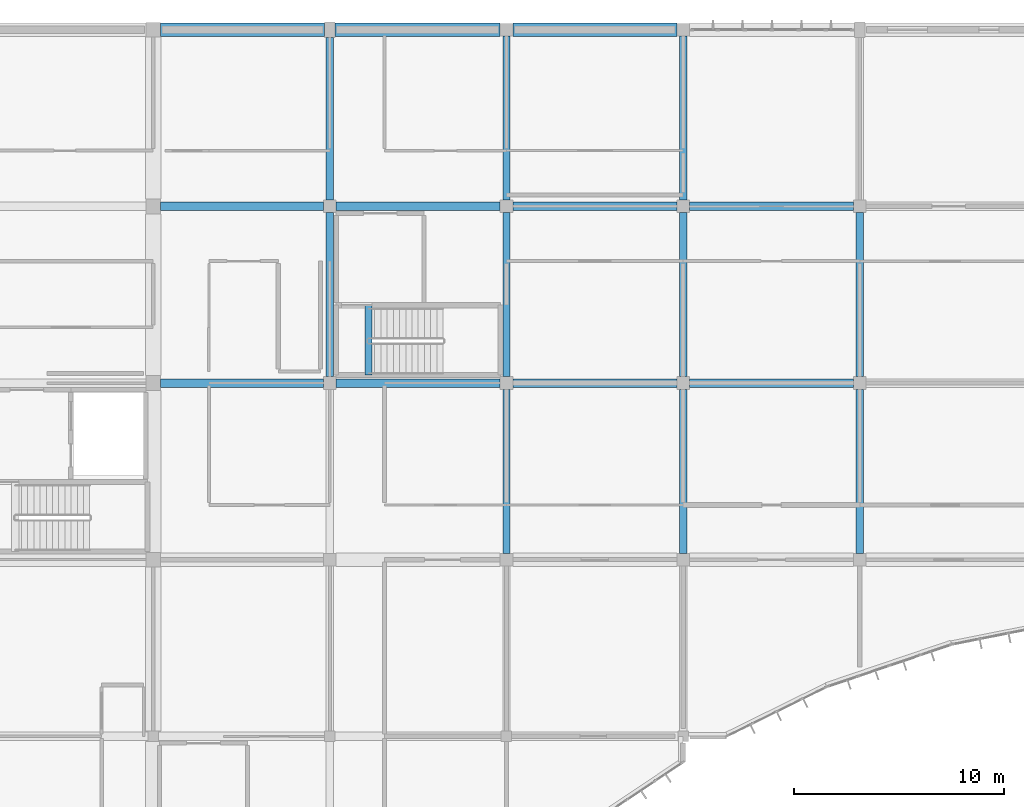
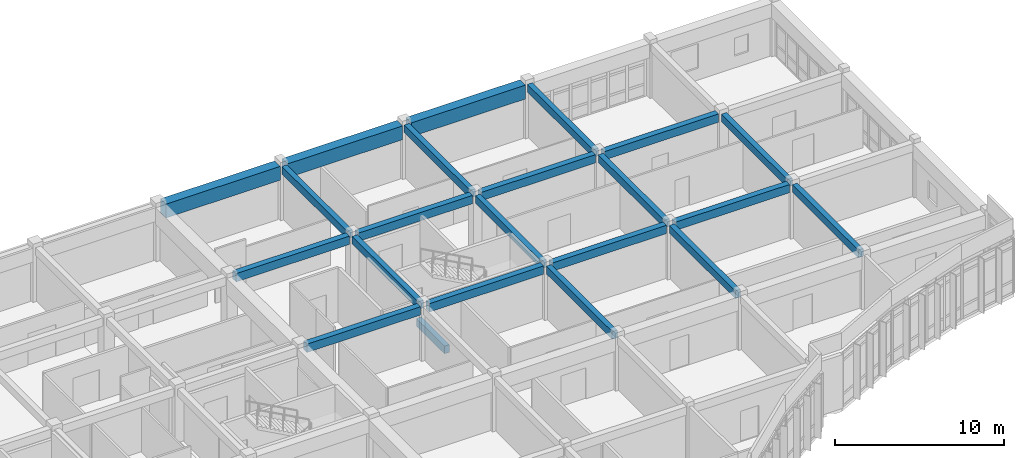
# One storey, part 52 of 119: 22 beams.
"""IFC4 building model written with IfcOpenShell, lengths in metres."""

from ifc_helpers import new_model, si_unit, direction, frame, origin, origin_2d, place, context, subcontext, project, spatial, rectangle, extrude, material, material_profile, profile_set, type_object, element, save


model = new_model("IFC4")

# Units and contexts
model_context = context("Model", 3, precision=1e-05, world=origin(), true_north=direction((0.0, 1.0)))
body_context = subcontext(model_context, "Body", "Model", "MODEL_VIEW")
ifc_project = project(units=[si_unit("LENGTHUNIT", "METRE"), si_unit("AREAUNIT", "SQUARE_METRE"), si_unit("VOLUMEUNIT", "CUBIC_METRE"), si_unit("PLANEANGLEUNIT", "RADIAN"), si_unit("MASSUNIT", "GRAM", prefix="KILO")], contexts=[model_context])

# Site, building, storey
site_placement = place(None, origin())
site = spatial("IfcSite", under=ifc_project, at=site_placement, CompositionType="ELEMENT")
building_placement = place(site_placement, origin())
building = spatial("IfcBuilding", under=site, at=building_placement, Name="Bramfleet General Hospital", CompositionType="ELEMENT")
storey_placement = place(building_placement, frame((0.0, 0.0, 14.39990234375)))
storey = spatial("IfcBuildingStorey", under=building, at=storey_placement, Name="L03", CompositionType="ELEMENT", Elevation=14.39990234375)

# Beams
ifc_material_1 = material(Name="Concrete C35/45", Category="concrete")
ifc_material_profile_1 = material_profile(ifc_material_1, rectangle(XDim=0.35009765625, YDim=0.550048828125, at=origin_2d()), Name="RC BM 550x350")
ifc_profile_set_1 = profile_set([ifc_material_profile_1], Name="Concrete C35/45")
beam_type_1 = type_object("IfcBeamType", Name="BM-RC550", PredefinedType="BEAM", material=ifc_profile_set_1)
beam_1_placement = place(storey_placement, frame((134.39990234375, 101.10009765625, 3.625), z_axis=(0.0, 1.0, 0.0), x_axis=(-1.0, 0.0, 0.0)))
element("IfcBeam", 1, at=beam_1_placement, inside=storey, type_object=beam_type_1, Name="L03 Grid Beam Y 16-12", PredefinedType="BEAM", context=body_context, shape_type="SweptSolid", body=[
    extrude(rectangle(XDim=0.35009765625, YDim=0.550048828125, at=origin_2d()), origin(), (0.0, 0.0, 1.0), 7.7998046875),
])
beam_2_placement = place(storey_placement, frame((134.39990234375, 109.5, 3.625), z_axis=(0.0, 1.0, 0.0), x_axis=(-1.0, 0.0, 0.0)))
element("IfcBeam", 2, at=beam_2_placement, inside=storey, type_object=beam_type_1, Name="L03 Grid Beam Y 16-13", PredefinedType="BEAM", context=body_context, shape_type="SweptSolid", body=[
    extrude(rectangle(XDim=0.35009765625, YDim=0.550048828125, at=origin_2d()), origin(), (0.0, 0.0, 1.0), 7.72509765625),
])
beam_3_placement = place(storey_placement, frame((142.800048828125, 92.699951171875, 3.625), z_axis=(0.0, 1.0, 0.0), x_axis=(-1.0, 0.0, 0.0)))
element("IfcBeam", 3, at=beam_3_placement, inside=storey, type_object=beam_type_1, Name="L03 Grid Beam Y 17-11", PredefinedType="BEAM", context=body_context, shape_type="SweptSolid", body=[
    extrude(rectangle(XDim=0.35009765625, YDim=0.550048828125, at=origin_2d()), origin(), (0.0, 0.0, 1.0), 7.800048828125),
])
beam_4_placement = place(storey_placement, frame((142.800048828125, 101.10009765625, 3.625), z_axis=(0.0, 1.0, 0.0), x_axis=(-1.0, 0.0, 0.0)))
element("IfcBeam", 4, at=beam_4_placement, inside=storey, type_object=beam_type_1, Name="L03 Grid Beam Y 17-12", PredefinedType="BEAM", context=body_context, shape_type="SweptSolid", body=[
    extrude(rectangle(XDim=0.35009765625, YDim=0.550048828125, at=origin_2d()), origin(), (0.0, 0.0, 1.0), 7.7998046875),
])
for number, where, z_axis, x_axis, name in (
    (5, (142.800048828125, 109.5, 3.625), (0.0, 1.0, 0.0), (-1.0, 0.0, 0.0), "L03 Grid Beam Y 17-13"),
    (6, (151.199951171875, 92.699951171875, 3.625), (0.0, 1.0, 0.0), (-1.0, 0.0, 0.0), "L03 Grid Beam Y 18-11"),
):
    element("IfcBeam", number, at=place(storey_placement, frame(where, z_axis=z_axis, x_axis=x_axis)), inside=storey, type_object=beam_type_1, Name=name, PredefinedType="BEAM", context=body_context, shape_type="SweptSolid", body=[
        extrude(rectangle(XDim=0.35009765625, YDim=0.550048828125, at=origin_2d()), origin(), (0.0, 0.0, 1.0), 7.800048828125),
    ])
beam_5_placement = place(storey_placement, frame((151.199951171875, 101.10009765625, 3.625), z_axis=(0.0, 1.0, 0.0), x_axis=(-1.0, 0.0, 0.0)))
element("IfcBeam", 7, at=beam_5_placement, inside=storey, type_object=beam_type_1, Name="L03 Grid Beam Y 18-12", PredefinedType="BEAM", context=body_context, shape_type="SweptSolid", body=[
    extrude(rectangle(XDim=0.35009765625, YDim=0.550048828125, at=origin_2d()), origin(), (0.0, 0.0, 1.0), 7.7998046875),
])
for number, where, z_axis, x_axis, name in (
    (8, (151.199951171875, 109.5, 3.625), (0.0, 1.0, 0.0), (-1.0, 0.0, 0.0), "L03 Grid Beam Y 18-13"),
    (9, (159.60009765625, 92.699951171875, 3.625), (0.0, 1.0, 0.0), (-1.0, 0.0, 0.0), "L03 Grid Beam Y 19-11"),
):
    element("IfcBeam", number, at=place(storey_placement, frame(where, z_axis=z_axis, x_axis=x_axis)), inside=storey, type_object=beam_type_1, Name=name, PredefinedType="BEAM", context=body_context, shape_type="SweptSolid", body=[
        extrude(rectangle(XDim=0.35009765625, YDim=0.550048828125, at=origin_2d()), origin(), (0.0, 0.0, 1.0), 7.800048828125),
    ])
beam_6_placement = place(storey_placement, frame((159.60009765625, 101.10009765625, 3.625), z_axis=(0.0, 1.0, 0.0), x_axis=(-1.0, 0.0, 0.0)))
element("IfcBeam", 10, at=beam_6_placement, inside=storey, type_object=beam_type_1, Name="L03 Grid Beam Y 19-12", PredefinedType="BEAM", context=body_context, shape_type="SweptSolid", body=[
    extrude(rectangle(XDim=0.35009765625, YDim=0.550048828125, at=origin_2d()), origin(), (0.0, 0.0, 1.0), 7.7998046875),
])
beam_7_placement = place(storey_placement, frame((136.239990234375, 101.179931640625, -0.27490234375), z_axis=(0.0, 1.0, 0.0), x_axis=(-1.0, 0.0, 0.0)))
element("IfcBeam", 11, at=beam_7_placement, inside=storey, type_object=beam_type_1, Name="L03 C9 Stairwell Trimmer Beam", PredefinedType="BEAM", context=body_context, shape_type="SweptSolid", body=[
    extrude(rectangle(XDim=0.35009765625, YDim=0.550048828125, at=origin_2d()), origin(), (0.0, 0.0, 1.0), 3.320068359375),
])
ifc_material_profile_2 = material_profile(ifc_material_1, rectangle(XDim=0.39990234375, YDim=0.60009765625, at=origin_2d()), Name="RC BM 600x400")
ifc_profile_set_2 = profile_set([ifc_material_profile_2], Name="Concrete C35/45")
beam_type_2 = type_object("IfcBeamType", Name="BM-RC600", PredefinedType="BEAM", material=ifc_profile_set_2)
for number, where, z_axis, x_axis, name in (
    (12, (126.35009765625, 100.800048828125, 3.60009765625), (1.0, 0.0, 0.0), (0.0, 1.0, 0.0), "L03 Grid Beam X 15-12"),
    (13, (126.35009765625, 109.199951171875, 3.60009765625), (1.0, 0.0, 0.0), (0.0, 1.0, 0.0), "L03 Grid Beam X 15-13"),
):
    element("IfcBeam", number, at=place(storey_placement, frame(where, z_axis=z_axis, x_axis=x_axis)), inside=storey, type_object=beam_type_2, Name=name, PredefinedType="BEAM", context=body_context, shape_type="SweptSolid", body=[
        extrude(rectangle(XDim=0.39990234375, YDim=0.60009765625, at=origin_2d()), origin(), (0.0, 0.0, 1.0), 7.75),
    ])
for number, where, z_axis, x_axis, name in (
    (14, (134.699951171875, 100.800048828125, 3.60009765625), (1.0, 0.0, 0.0), (0.0, 1.0, 0.0), "L03 Grid Beam X 16-12"),
    (15, (134.699951171875, 109.199951171875, 3.60009765625), (1.0, 0.0, 0.0), (0.0, 1.0, 0.0), "L03 Grid Beam X 16-13"),
):
    element("IfcBeam", number, at=place(storey_placement, frame(where, z_axis=z_axis, x_axis=x_axis)), inside=storey, type_object=beam_type_2, Name=name, PredefinedType="BEAM", context=body_context, shape_type="SweptSolid", body=[
        extrude(rectangle(XDim=0.39990234375, YDim=0.60009765625, at=origin_2d()), origin(), (0.0, 0.0, 1.0), 7.800048828125),
    ])
for number, where, z_axis, x_axis, name in (
    (16, (143.10009765625, 100.800048828125, 3.60009765625), (1.0, 0.0, 0.0), (0.0, 1.0, 0.0), "L03 Grid Beam X 17-12"),
    (17, (143.10009765625, 109.199951171875, 3.60009765625), (1.0, 0.0, 0.0), (0.0, 1.0, 0.0), "L03 Grid Beam X 17-13"),
):
    element("IfcBeam", number, at=place(storey_placement, frame(where, z_axis=z_axis, x_axis=x_axis)), inside=storey, type_object=beam_type_2, Name=name, PredefinedType="BEAM", context=body_context, shape_type="SweptSolid", body=[
        extrude(rectangle(XDim=0.39990234375, YDim=0.60009765625, at=origin_2d()), origin(), (0.0, 0.0, 1.0), 7.7998046875),
    ])
for number, where, z_axis, x_axis, name in (
    (18, (151.5, 100.800048828125, 3.60009765625), (1.0, 0.0, 0.0), (0.0, 1.0, 0.0), "L03 Grid Beam X 18-12"),
    (19, (151.5, 109.199951171875, 3.60009765625), (1.0, 0.0, 0.0), (0.0, 1.0, 0.0), "L03 Grid Beam X 18-13"),
):
    element("IfcBeam", number, at=place(storey_placement, frame(where, z_axis=z_axis, x_axis=x_axis)), inside=storey, type_object=beam_type_2, Name=name, PredefinedType="BEAM", context=body_context, shape_type="SweptSolid", body=[
        extrude(rectangle(XDim=0.39990234375, YDim=0.60009765625, at=origin_2d()), origin(), (0.0, 0.0, 1.0), 7.800048828125),
    ])
ifc_material_2 = material(Name="Concrete C40/50", Category="concrete")
ifc_material_profile_3 = material_profile(ifc_material_2, rectangle(XDim=0.64990234375, YDim=1.0, at=origin_2d()), Name="RC TG 1000x650")
ifc_profile_set_3 = profile_set([ifc_material_profile_3], Name="Concrete C40/50")
beam_type_3 = type_object("IfcBeamType", Name="BM-TG1000", PredefinedType="BEAM", material=ifc_profile_set_3)
beam_8_placement = place(storey_placement, frame((126.35009765625, 117.60009765625, 3.400146484375), z_axis=(1.0, 0.0, 0.0), x_axis=(0.0, 1.0, 0.0)))
element("IfcBeam", 20, at=beam_8_placement, inside=storey, type_object=beam_type_3, Name="L03 Transfer Girder X 15-14", PredefinedType="BEAM", context=body_context, shape_type="SweptSolid", body=[
    extrude(rectangle(XDim=0.64990234375, YDim=1.0, at=origin_2d()), origin(), (0.0, 0.0, 1.0), 7.7998046875),
])
beam_9_placement = place(storey_placement, frame((134.64990234375, 117.60009765625, 3.400146484375), z_axis=(1.0, 0.0, 0.0), x_axis=(0.0, 1.0, 0.0)))
element("IfcBeam", 21, at=beam_9_placement, inside=storey, type_object=beam_type_3, Name="L03 Transfer Girder X 16-14", PredefinedType="BEAM", context=body_context, shape_type="SweptSolid", body=[
    extrude(rectangle(XDim=0.64990234375, YDim=1.0, at=origin_2d()), origin(), (0.0, 0.0, 1.0), 7.85009765625),
])
beam_10_placement = place(storey_placement, frame((143.10009765625, 117.60009765625, 3.400146484375), z_axis=(1.0, 0.0, 0.0), x_axis=(0.0, 1.0, 0.0)))
element("IfcBeam", 22, at=beam_10_placement, inside=storey, type_object=beam_type_3, Name="L03 Transfer Girder X 17-14", PredefinedType="BEAM", context=body_context, shape_type="SweptSolid", body=[
    extrude(rectangle(XDim=0.64990234375, YDim=1.0, at=origin_2d()), origin(), (0.0, 0.0, 1.0), 7.7998046875),
])

save(model, "model.ifc")
